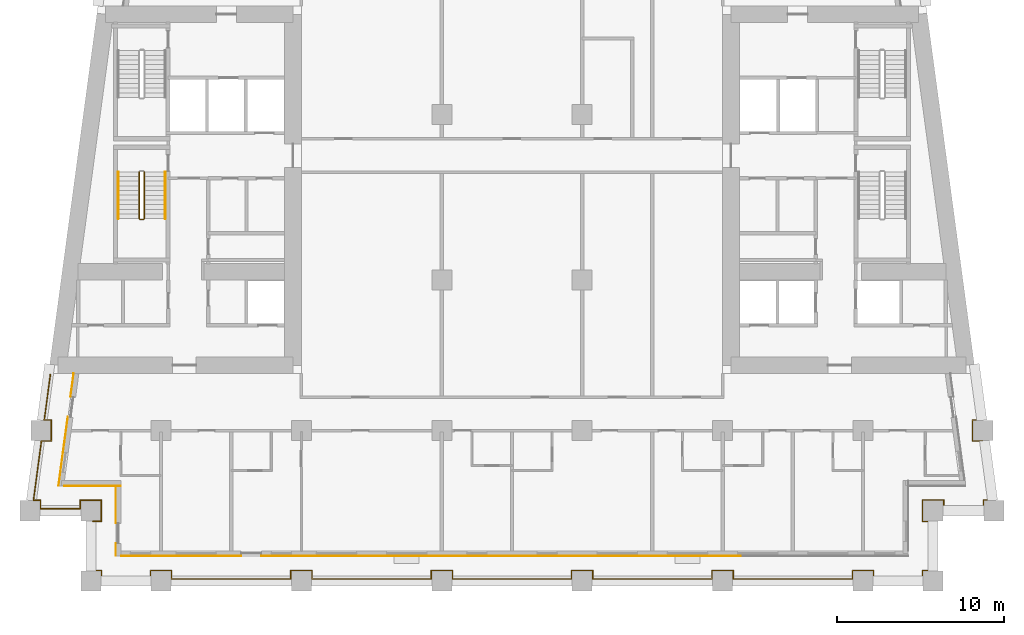
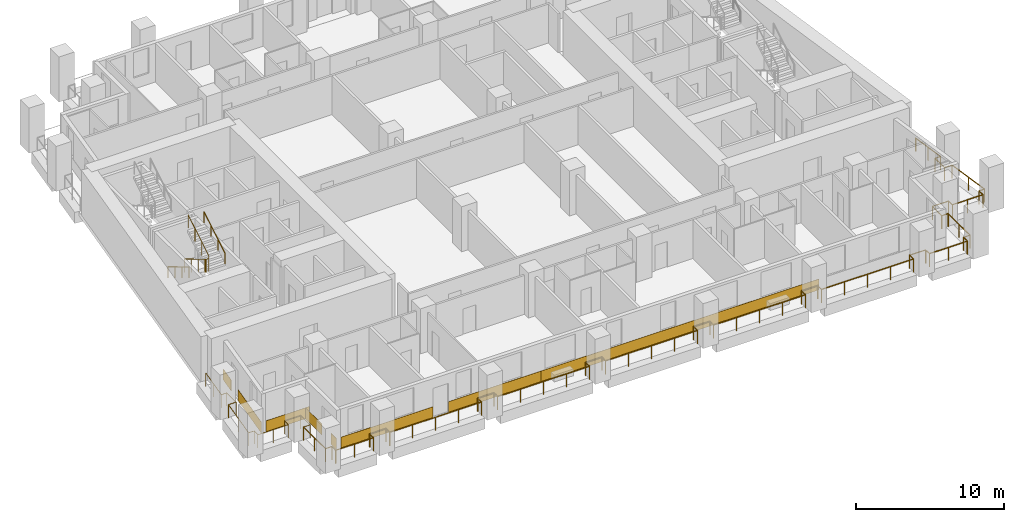
# One storey, part 9 of 13: 8 coverings, 5 railings.
"""IFC4 building model written with IfcOpenShell, lengths in metres."""

from ifc_helpers import new_model, si_unit, direction, frame, origin, origin_2d, place, context, subcontext, project, spatial, rectangle, circle, extrude, material, layer, layer_set, type_object, element, save


model = new_model("IFC4")

# Units and contexts
model_context = context("Model", 3, precision=1e-05, world=origin(), true_north=direction((0.0, 1.0)))
body_context = subcontext(model_context, "Body", "Model", "MODEL_VIEW")
ifc_project = project(units=[si_unit("LENGTHUNIT", "METRE"), si_unit("AREAUNIT", "SQUARE_METRE"), si_unit("VOLUMEUNIT", "CUBIC_METRE"), si_unit("PLANEANGLEUNIT", "RADIAN"), si_unit("MASSUNIT", "GRAM", prefix="KILO")], contexts=[model_context])

# Site, building, storey
site_placement = place(None, origin())
site = spatial("IfcSite", under=ifc_project, at=site_placement, CompositionType="ELEMENT")
building_placement = place(site_placement, origin())
building = spatial("IfcBuilding", under=site, at=building_placement, Name="Candeia Pilgrim Tower and Theatre", CompositionType="ELEMENT")
storey_placement = place(building_placement, frame((0.0, 0.0, 131.699951171875)))
storey = spatial("IfcBuildingStorey", under=building, at=storey_placement, Name="L31", CompositionType="ELEMENT", Elevation=131.699951171875)

# Railings
ifc_material_1 = material(Name="Stainless steel balustrade", Category="steel")
railing_type_1 = type_object("IfcRailingType", Name="G1 loggia guard 1100", PredefinedType="GUARDRAIL", material=ifc_material_1)
railing_1_placement = place(storey_placement, frame((88.320068359375, 101.570068359375, 0.0)))
element("IfcRailing", 1, at=railing_1_placement, inside=storey, type_object=railing_type_1, Name="Guard L31.1", PredefinedType="GUARDRAIL", context=body_context, shape_type="SweptSolid", body=[
    extrude(circle(Radius=0.02392578125, at=origin_2d()), frame((0.0, 0.0, 1.076171875), z_axis=(1.0, 0.0, 0.0), x_axis=(0.0, 1.0, 0.0)), (0.0, 0.0, 1.0), 0.510009765625),
    extrude(circle(Radius=0.02392578125, at=origin_2d()), frame((0.510009765625, 0.0, 1.076171875), z_axis=(0.0, 1.0, 0.0), x_axis=(-1.0, 0.0, 0.0)), (0.0, 0.0, 1.0), 1.260009765625),
    extrude(circle(Radius=0.02392578125, at=origin_2d()), frame((0.510009765625, 1.260009765625, 1.076171875), z_axis=(-1.0, 0.0, 0.0), x_axis=(0.0, -1.0, 0.0)), (0.0, 0.0, 1.0), 1.260009765625),
    extrude(circle(Radius=0.02392578125, at=origin_2d()), frame((-0.75, 1.260009765625, 1.076171875), z_axis=(0.0, -1.0, 0.0), x_axis=(1.0, 0.0, 0.0)), (0.0, 0.0, 1.0), 0.510009765625),
    extrude(circle(Radius=0.02392578125, at=origin_2d()), frame((-0.75, 0.75, 1.076171875), z_axis=(-1.0, 0.0, 0.0), x_axis=(0.0, -1.0, 0.0)), (0.0, 0.0, 1.0), 2.374755859375),
    extrude(circle(Radius=0.02392578125, at=origin_2d()), frame((-3.124755859375, 0.75, 1.076171875), z_axis=(0.0, 1.0, 0.0), x_axis=(-1.0, 0.0, 0.0)), (0.0, 0.0, 1.0), 0.510009765625),
    extrude(circle(Radius=0.02392578125, at=origin_2d()), frame((-3.124755859375, 1.260009765625, 1.076171875), z_axis=(-1.0, 0.0, 0.0), x_axis=(0.0, -1.0, 0.0)), (0.0, 0.0, 1.0), 0.424072265625),
    extrude(circle(Radius=0.02392578125, at=origin_2d()), frame((-3.548828125, 1.260009765625, 1.076171875), z_axis=(0.133417176173, 0.991059966451, 0.0), x_axis=(-0.991059966451, 0.133417176173, 0.0)), (0.0, 0.0, 1.0), 3.572021484375),
    extrude(circle(Radius=0.02392578125, at=origin_2d()), frame((-3.072265625, 4.800048828125, 1.076171875), z_axis=(1.0, 0.0, 0.0), x_axis=(0.0, 1.0, 0.0)), (0.0, 0.0, 1.0), 0.59375),
    extrude(circle(Radius=0.02392578125, at=origin_2d()), frame((-2.478515625, 4.800048828125, 1.076171875), z_axis=(0.0, 1.0, 0.0), x_axis=(-1.0, 0.0, 0.0)), (0.0, 0.0, 1.0), 1.259765625),
    extrude(circle(Radius=0.02392578125, at=origin_2d()), frame((-2.478515625, 6.059814453125, 1.076171875), z_axis=(-1.0, 0.0, 0.0), x_axis=(0.0, -1.0, 0.0)), (0.0, 0.0, 1.0), 0.424072265625),
    extrude(circle(Radius=0.02392578125, at=origin_2d()), frame((-2.902587890625, 6.059814453125, 1.076171875), z_axis=(0.1334220927, 0.991059304572, 0.0), x_axis=(-0.991059304572, 0.1334220927, 0.0)), (0.0, 0.0, 1.0), 2.744873046875),
    extrude(circle(Radius=0.02099609375, at=origin_2d()), origin(), (0.0, 0.0, 1.0), 1.052001953125),
    extrude(circle(Radius=0.02099609375, at=origin_2d()), frame((0.510009765625, 0.0, 0.0)), (0.0, 0.0, 1.0), 1.052001953125),
    extrude(circle(Radius=0.02099609375, at=origin_2d()), frame((0.510009765625, 1.260009765625, 0.0)), (0.0, 0.0, 1.0), 1.052001953125),
    extrude(circle(Radius=0.02099609375, at=origin_2d()), frame((-0.75, 1.260009765625, 0.0)), (0.0, 0.0, 1.0), 1.052001953125),
    extrude(circle(Radius=0.02099609375, at=origin_2d()), frame((-0.75, 0.75, 0.0)), (0.0, 0.0, 1.0), 1.052001953125),
    extrude(circle(Radius=0.02099609375, at=origin_2d()), frame((-1.9375, 0.75, 0.0)), (0.0, 0.0, 1.0), 1.052001953125),
    extrude(circle(Radius=0.02099609375, at=origin_2d()), frame((-3.124755859375, 0.75, 0.0)), (0.0, 0.0, 1.0), 1.052001953125),
    extrude(circle(Radius=0.02099609375, at=origin_2d()), frame((-3.124755859375, 1.260009765625, 0.0)), (0.0, 0.0, 1.0), 1.052001953125),
    extrude(circle(Radius=0.02099609375, at=origin_2d()), frame((-3.548828125, 1.260009765625, 0.0)), (0.0, 0.0, 1.0), 1.052001953125),
    extrude(circle(Radius=0.02099609375, at=origin_2d()), frame((-3.310546875, 3.030029296875, 0.0)), (0.0, 0.0, 1.0), 1.052001953125),
    extrude(circle(Radius=0.02099609375, at=origin_2d()), frame((-3.072265625, 4.800048828125, 0.0)), (0.0, 0.0, 1.0), 1.052001953125),
    extrude(circle(Radius=0.02099609375, at=origin_2d()), frame((-2.478515625, 4.800048828125, 0.0)), (0.0, 0.0, 1.0), 1.052001953125),
    extrude(circle(Radius=0.02099609375, at=origin_2d()), frame((-2.478515625, 6.059814453125, 0.0)), (0.0, 0.0, 1.0), 1.052001953125),
    extrude(circle(Radius=0.02099609375, at=origin_2d()), frame((-2.902587890625, 6.059814453125, 0.0)), (0.0, 0.0, 1.0), 1.052001953125),
    extrude(circle(Radius=0.02099609375, at=origin_2d()), frame((-2.719482421875, 7.419921875, 0.0)), (0.0, 0.0, 1.0), 1.052001953125),
    extrude(circle(Radius=0.02099609375, at=origin_2d()), frame((-2.536376953125, 8.780029296875, 0.0)), (0.0, 0.0, 1.0), 1.052001953125),
])
railing_2_placement = place(storey_placement, frame((141.016357421875, 110.35009765625, 0.0)))
element("IfcRailing", 2, at=railing_2_placement, inside=storey, type_object=railing_type_1, Name="Guard L31.4", PredefinedType="GUARDRAIL", context=body_context, shape_type="SweptSolid", body=[
    extrude(circle(Radius=0.02392578125, at=origin_2d()), frame((0.0, 0.0, 1.076171875), z_axis=(0.1334220927, -0.991059304572, 0.0), x_axis=(0.991059304572, 0.1334220927, 0.0)), (0.0, 0.0, 1.0), 2.744873046875),
    extrude(circle(Radius=0.02392578125, at=origin_2d()), frame((0.3662109375, -2.72021484375, 1.076171875), z_axis=(-1.0, 0.0, 0.0), x_axis=(0.0, -1.0, 0.0)), (0.0, 0.0, 1.0), 0.424072265625),
    extrude(circle(Radius=0.02392578125, at=origin_2d()), frame((-0.057861328125, -2.72021484375, 1.076171875), z_axis=(0.0, -1.0, 0.0), x_axis=(1.0, 0.0, 0.0)), (0.0, 0.0, 1.0), 1.259765625),
    extrude(circle(Radius=0.02392578125, at=origin_2d()), frame((-0.057861328125, -3.97998046875, 1.076171875), z_axis=(1.0, 0.0, 0.0), x_axis=(0.0, 1.0, 0.0)), (0.0, 0.0, 1.0), 0.59375),
    extrude(circle(Radius=0.02392578125, at=origin_2d()), frame((0.535888671875, -3.97998046875, 1.076171875), z_axis=(0.133417176173, -0.991059966451, 0.0), x_axis=(0.991059966451, 0.133417176173, 0.0)), (0.0, 0.0, 1.0), 3.572021484375),
    extrude(circle(Radius=0.02392578125, at=origin_2d()), frame((1.012451171875, -7.52001953125, 1.076171875), z_axis=(-1.0, 0.0, 0.0), x_axis=(0.0, -1.0, 0.0)), (0.0, 0.0, 1.0), 0.424072265625),
    extrude(circle(Radius=0.02392578125, at=origin_2d()), frame((0.58837890625, -7.52001953125, 1.076171875), z_axis=(0.0, -1.0, 0.0), x_axis=(1.0, 0.0, 0.0)), (0.0, 0.0, 1.0), 0.510009765625),
    extrude(circle(Radius=0.02392578125, at=origin_2d()), frame((0.58837890625, -8.030029296875, 1.076171875), z_axis=(-1.0, 0.0, 0.0), x_axis=(0.0, -1.0, 0.0)), (0.0, 0.0, 1.0), 2.374755859375),
    extrude(circle(Radius=0.02392578125, at=origin_2d()), frame((-1.786376953125, -8.030029296875, 1.076171875), z_axis=(0.0, 1.0, 0.0), x_axis=(-1.0, 0.0, 0.0)), (0.0, 0.0, 1.0), 0.510009765625),
    extrude(circle(Radius=0.02392578125, at=origin_2d()), frame((-1.786376953125, -7.52001953125, 1.076171875), z_axis=(-1.0, 0.0, 0.0), x_axis=(0.0, -1.0, 0.0)), (0.0, 0.0, 1.0), 1.260009765625),
    extrude(circle(Radius=0.02392578125, at=origin_2d()), frame((-3.04638671875, -7.52001953125, 1.076171875), z_axis=(0.0, -1.0, 0.0), x_axis=(1.0, 0.0, 0.0)), (0.0, 0.0, 1.0), 1.260009765625),
    extrude(circle(Radius=0.02392578125, at=origin_2d()), frame((-3.04638671875, -8.780029296875, 1.076171875), z_axis=(1.0, 0.0, 0.0), x_axis=(0.0, 1.0, 0.0)), (0.0, 0.0, 1.0), 0.510009765625),
    extrude(circle(Radius=0.02392578125, at=origin_2d()), frame((-2.536376953125, -8.780029296875, 1.076171875), z_axis=(0.0, -1.0, 0.0), x_axis=(1.0, 0.0, 0.0)), (0.0, 0.0, 1.0), 2.940185546875),
    extrude(circle(Radius=0.02392578125, at=origin_2d()), frame((-2.536376953125, -11.72021484375, 1.076171875), z_axis=(-1.0, 0.0, 0.0), x_axis=(0.0, -1.0, 0.0)), (0.0, 0.0, 1.0), 0.510009765625),
    extrude(circle(Radius=0.02392578125, at=origin_2d()), frame((-3.04638671875, -11.72021484375, 1.076171875), z_axis=(0.0, -1.0, 0.0), x_axis=(1.0, 0.0, 0.0)), (0.0, 0.0, 1.0), 0.509765625),
    extrude(circle(Radius=0.02392578125, at=origin_2d()), frame((-3.04638671875, -12.22998046875, 1.076171875), z_axis=(-1.0, 0.0, 0.0), x_axis=(0.0, -1.0, 0.0)), (0.0, 0.0, 1.0), 2.93994140625),
    extrude(circle(Radius=0.02392578125, at=origin_2d()), frame((-5.986328125, -12.22998046875, 1.076171875), z_axis=(0.0, 1.0, 0.0), x_axis=(-1.0, 0.0, 0.0)), (0.0, 0.0, 1.0), 0.509765625),
    extrude(circle(Radius=0.02392578125, at=origin_2d()), frame((-5.986328125, -11.72021484375, 1.076171875), z_axis=(-1.0, 0.0, 0.0), x_axis=(0.0, -1.0, 0.0)), (0.0, 0.0, 1.0), 1.260009765625),
    extrude(circle(Radius=0.02392578125, at=origin_2d()), frame((-7.246337890625, -11.72021484375, 1.076171875), z_axis=(0.0, -1.0, 0.0), x_axis=(1.0, 0.0, 0.0)), (0.0, 0.0, 1.0), 0.509765625),
    extrude(circle(Radius=0.02392578125, at=origin_2d()), frame((-7.246337890625, -12.22998046875, 1.076171875), z_axis=(-1.0, 0.0, 0.0), x_axis=(0.0, -1.0, 0.0)), (0.0, 0.0, 1.0), 7.14013671875),
    extrude(circle(Radius=0.02392578125, at=origin_2d()), frame((-14.386474609375, -12.22998046875, 1.076171875), z_axis=(0.0, 1.0, 0.0), x_axis=(-1.0, 0.0, 0.0)), (0.0, 0.0, 1.0), 0.509765625),
    extrude(circle(Radius=0.02392578125, at=origin_2d()), frame((-14.386474609375, -11.72021484375, 1.076171875), z_axis=(-1.0, 0.0, 0.0), x_axis=(0.0, -1.0, 0.0)), (0.0, 0.0, 1.0), 1.259765625),
    extrude(circle(Radius=0.02392578125, at=origin_2d()), frame((-15.646240234375, -11.72021484375, 1.076171875), z_axis=(0.0, -1.0, 0.0), x_axis=(1.0, 0.0, 0.0)), (0.0, 0.0, 1.0), 0.509765625),
    extrude(circle(Radius=0.02392578125, at=origin_2d()), frame((-15.646240234375, -12.22998046875, 1.076171875), z_axis=(-1.0, 0.0, 0.0), x_axis=(0.0, -1.0, 0.0)), (0.0, 0.0, 1.0), 7.14013671875),
    extrude(circle(Radius=0.02392578125, at=origin_2d()), frame((-22.786376953125, -12.22998046875, 1.076171875), z_axis=(0.0, 1.0, 0.0), x_axis=(-1.0, 0.0, 0.0)), (0.0, 0.0, 1.0), 0.509765625),
    extrude(circle(Radius=0.02392578125, at=origin_2d()), frame((-22.786376953125, -11.72021484375, 1.076171875), z_axis=(-1.0, 0.0, 0.0), x_axis=(0.0, -1.0, 0.0)), (0.0, 0.0, 1.0), 1.260009765625),
    extrude(circle(Radius=0.02392578125, at=origin_2d()), frame((-24.04638671875, -11.72021484375, 1.076171875), z_axis=(0.0, -1.0, 0.0), x_axis=(1.0, 0.0, 0.0)), (0.0, 0.0, 1.0), 0.509765625),
    extrude(circle(Radius=0.02392578125, at=origin_2d()), frame((-24.04638671875, -12.22998046875, 1.076171875), z_axis=(-1.0, 0.0, 0.0), x_axis=(0.0, -1.0, 0.0)), (0.0, 0.0, 1.0), 7.139892578125),
    extrude(circle(Radius=0.02392578125, at=origin_2d()), frame((-31.186279296875, -12.22998046875, 1.076171875), z_axis=(0.0, 1.0, 0.0), x_axis=(-1.0, 0.0, 0.0)), (0.0, 0.0, 1.0), 0.509765625),
    extrude(circle(Radius=0.02392578125, at=origin_2d()), frame((-31.186279296875, -11.72021484375, 1.076171875), z_axis=(-1.0, 0.0, 0.0), x_axis=(0.0, -1.0, 0.0)), (0.0, 0.0, 1.0), 1.260009765625),
    extrude(circle(Radius=0.02392578125, at=origin_2d()), frame((-32.4462890625, -11.72021484375, 1.076171875), z_axis=(0.0, -1.0, 0.0), x_axis=(1.0, 0.0, 0.0)), (0.0, 0.0, 1.0), 0.509765625),
    extrude(circle(Radius=0.02392578125, at=origin_2d()), frame((-32.4462890625, -12.22998046875, 1.076171875), z_axis=(-1.0, 0.0, 0.0), x_axis=(0.0, -1.0, 0.0)), (0.0, 0.0, 1.0), 7.14013671875),
    extrude(circle(Radius=0.02392578125, at=origin_2d()), frame((-39.58642578125, -12.22998046875, 1.076171875), z_axis=(0.0, 1.0, 0.0), x_axis=(-1.0, 0.0, 0.0)), (0.0, 0.0, 1.0), 0.509765625),
    extrude(circle(Radius=0.02392578125, at=origin_2d()), frame((-39.58642578125, -11.72021484375, 1.076171875), z_axis=(-1.0, 0.0, 0.0), x_axis=(0.0, -1.0, 0.0)), (0.0, 0.0, 1.0), 1.260009765625),
    extrude(circle(Radius=0.02392578125, at=origin_2d()), frame((-40.846435546875, -11.72021484375, 1.076171875), z_axis=(0.0, -1.0, 0.0), x_axis=(1.0, 0.0, 0.0)), (0.0, 0.0, 1.0), 0.509765625),
    extrude(circle(Radius=0.02392578125, at=origin_2d()), frame((-40.846435546875, -12.22998046875, 1.076171875), z_axis=(-1.0, 0.0, 0.0), x_axis=(0.0, -1.0, 0.0)), (0.0, 0.0, 1.0), 7.139892578125),
    extrude(circle(Radius=0.02392578125, at=origin_2d()), frame((-47.986328125, -12.22998046875, 1.076171875), z_axis=(0.0, 1.0, 0.0), x_axis=(-1.0, 0.0, 0.0)), (0.0, 0.0, 1.0), 0.509765625),
    extrude(circle(Radius=0.02392578125, at=origin_2d()), frame((-47.986328125, -11.72021484375, 1.076171875), z_axis=(-1.0, 0.0, 0.0), x_axis=(0.0, -1.0, 0.0)), (0.0, 0.0, 1.0), 1.260009765625),
    extrude(circle(Radius=0.02392578125, at=origin_2d()), frame((-49.246337890625, -11.72021484375, 1.076171875), z_axis=(0.0, -1.0, 0.0), x_axis=(1.0, 0.0, 0.0)), (0.0, 0.0, 1.0), 0.509765625),
    extrude(circle(Radius=0.02392578125, at=origin_2d()), frame((-49.246337890625, -12.22998046875, 1.076171875), z_axis=(-1.0, 0.0, 0.0), x_axis=(0.0, -1.0, 0.0)), (0.0, 0.0, 1.0), 2.93994140625),
    extrude(circle(Radius=0.02392578125, at=origin_2d()), frame((-52.186279296875, -12.22998046875, 1.076171875), z_axis=(0.0, 1.0, 0.0), x_axis=(-1.0, 0.0, 0.0)), (0.0, 0.0, 1.0), 0.509765625),
    extrude(circle(Radius=0.02392578125, at=origin_2d()), frame((-52.186279296875, -11.72021484375, 1.076171875), z_axis=(-1.0, 0.0, 0.0), x_axis=(0.0, -1.0, 0.0)), (0.0, 0.0, 1.0), 0.510009765625),
    extrude(circle(Radius=0.02392578125, at=origin_2d()), frame((-52.6962890625, -11.72021484375, 1.076171875), z_axis=(0.0, 1.0, 0.0), x_axis=(-1.0, 0.0, 0.0)), (0.0, 0.0, 1.0), 2.940185546875),
    extrude(circle(Radius=0.02099609375, at=origin_2d()), origin(), (0.0, 0.0, 1.0), 1.052001953125),
    extrude(circle(Radius=0.02099609375, at=origin_2d()), frame((0.18310546875, -1.360107421875, 0.0)), (0.0, 0.0, 1.0), 1.052001953125),
    extrude(circle(Radius=0.02099609375, at=origin_2d()), frame((0.3662109375, -2.72021484375, 0.0)), (0.0, 0.0, 1.0), 1.052001953125),
    extrude(circle(Radius=0.02099609375, at=origin_2d()), frame((-0.057861328125, -2.72021484375, 0.0)), (0.0, 0.0, 1.0), 1.052001953125),
    extrude(circle(Radius=0.02099609375, at=origin_2d()), frame((-0.057861328125, -3.97998046875, 0.0)), (0.0, 0.0, 1.0), 1.052001953125),
    extrude(circle(Radius=0.02099609375, at=origin_2d()), frame((0.535888671875, -3.97998046875, 0.0)), (0.0, 0.0, 1.0), 1.052001953125),
    extrude(circle(Radius=0.02099609375, at=origin_2d()), frame((0.774169921875, -5.75, 0.0)), (0.0, 0.0, 1.0), 1.052001953125),
    extrude(circle(Radius=0.02099609375, at=origin_2d()), frame((1.012451171875, -7.52001953125, 0.0)), (0.0, 0.0, 1.0), 1.052001953125),
    extrude(circle(Radius=0.02099609375, at=origin_2d()), frame((0.58837890625, -7.52001953125, 0.0)), (0.0, 0.0, 1.0), 1.052001953125),
    extrude(circle(Radius=0.02099609375, at=origin_2d()), frame((0.58837890625, -8.030029296875, 0.0)), (0.0, 0.0, 1.0), 1.052001953125),
    extrude(circle(Radius=0.02099609375, at=origin_2d()), frame((-0.59912109375, -8.030029296875, 0.0)), (0.0, 0.0, 1.0), 1.052001953125),
    extrude(circle(Radius=0.02099609375, at=origin_2d()), frame((-1.786376953125, -8.030029296875, 0.0)), (0.0, 0.0, 1.0), 1.052001953125),
    extrude(circle(Radius=0.02099609375, at=origin_2d()), frame((-1.786376953125, -7.52001953125, 0.0)), (0.0, 0.0, 1.0), 1.052001953125),
    extrude(circle(Radius=0.02099609375, at=origin_2d()), frame((-3.04638671875, -7.52001953125, 0.0)), (0.0, 0.0, 1.0), 1.052001953125),
    extrude(circle(Radius=0.02099609375, at=origin_2d()), frame((-3.04638671875, -8.780029296875, 0.0)), (0.0, 0.0, 1.0), 1.052001953125),
    extrude(circle(Radius=0.02099609375, at=origin_2d()), frame((-2.536376953125, -8.780029296875, 0.0)), (0.0, 0.0, 1.0), 1.052001953125),
    extrude(circle(Radius=0.02099609375, at=origin_2d()), frame((-2.536376953125, -10.25, 0.0)), (0.0, 0.0, 1.0), 1.052001953125),
    extrude(circle(Radius=0.02099609375, at=origin_2d()), frame((-2.536376953125, -11.72021484375, 0.0)), (0.0, 0.0, 1.0), 1.052001953125),
    extrude(circle(Radius=0.02099609375, at=origin_2d()), frame((-3.04638671875, -11.72021484375, 0.0)), (0.0, 0.0, 1.0), 1.052001953125),
    extrude(circle(Radius=0.02099609375, at=origin_2d()), frame((-3.04638671875, -12.22998046875, 0.0)), (0.0, 0.0, 1.0), 1.052001953125),
    extrude(circle(Radius=0.02099609375, at=origin_2d()), frame((-4.516357421875, -12.22998046875, 0.0)), (0.0, 0.0, 1.0), 1.052001953125),
    extrude(circle(Radius=0.02099609375, at=origin_2d()), frame((-5.986328125, -12.22998046875, 0.0)), (0.0, 0.0, 1.0), 1.052001953125),
    extrude(circle(Radius=0.02099609375, at=origin_2d()), frame((-5.986328125, -11.72021484375, 0.0)), (0.0, 0.0, 1.0), 1.052001953125),
    extrude(circle(Radius=0.02099609375, at=origin_2d()), frame((-7.246337890625, -11.72021484375, 0.0)), (0.0, 0.0, 1.0), 1.052001953125),
    extrude(circle(Radius=0.02099609375, at=origin_2d()), frame((-7.246337890625, -12.22998046875, 0.0)), (0.0, 0.0, 1.0), 1.052001953125),
    extrude(circle(Radius=0.02099609375, at=origin_2d()), frame((-9.03125, -12.22998046875, 0.0)), (0.0, 0.0, 1.0), 1.052001953125),
    extrude(circle(Radius=0.02099609375, at=origin_2d()), frame((-10.81640625, -12.22998046875, 0.0)), (0.0, 0.0, 1.0), 1.052001953125),
    extrude(circle(Radius=0.02099609375, at=origin_2d()), frame((-12.6015625, -12.22998046875, 0.0)), (0.0, 0.0, 1.0), 1.052001953125),
    extrude(circle(Radius=0.02099609375, at=origin_2d()), frame((-14.386474609375, -12.22998046875, 0.0)), (0.0, 0.0, 1.0), 1.052001953125),
    extrude(circle(Radius=0.02099609375, at=origin_2d()), frame((-14.386474609375, -11.72021484375, 0.0)), (0.0, 0.0, 1.0), 1.052001953125),
    extrude(circle(Radius=0.02099609375, at=origin_2d()), frame((-15.646240234375, -11.72021484375, 0.0)), (0.0, 0.0, 1.0), 1.052001953125),
    extrude(circle(Radius=0.02099609375, at=origin_2d()), frame((-15.646240234375, -12.22998046875, 0.0)), (0.0, 0.0, 1.0), 1.052001953125),
    extrude(circle(Radius=0.02099609375, at=origin_2d()), frame((-17.43115234375, -12.22998046875, 0.0)), (0.0, 0.0, 1.0), 1.052001953125),
    extrude(circle(Radius=0.02099609375, at=origin_2d()), frame((-19.21630859375, -12.22998046875, 0.0)), (0.0, 0.0, 1.0), 1.052001953125),
    extrude(circle(Radius=0.02099609375, at=origin_2d()), frame((-21.00146484375, -12.22998046875, 0.0)), (0.0, 0.0, 1.0), 1.052001953125),
    extrude(circle(Radius=0.02099609375, at=origin_2d()), frame((-22.786376953125, -12.22998046875, 0.0)), (0.0, 0.0, 1.0), 1.052001953125),
    extrude(circle(Radius=0.02099609375, at=origin_2d()), frame((-22.786376953125, -11.72021484375, 0.0)), (0.0, 0.0, 1.0), 1.052001953125),
    extrude(circle(Radius=0.02099609375, at=origin_2d()), frame((-24.04638671875, -11.72021484375, 0.0)), (0.0, 0.0, 1.0), 1.052001953125),
    extrude(circle(Radius=0.02099609375, at=origin_2d()), frame((-24.04638671875, -12.22998046875, 0.0)), (0.0, 0.0, 1.0), 1.052001953125),
    extrude(circle(Radius=0.02099609375, at=origin_2d()), frame((-25.831298828125, -12.22998046875, 0.0)), (0.0, 0.0, 1.0), 1.052001953125),
    extrude(circle(Radius=0.02099609375, at=origin_2d()), frame((-27.6162109375, -12.22998046875, 0.0)), (0.0, 0.0, 1.0), 1.052001953125),
    extrude(circle(Radius=0.02099609375, at=origin_2d()), frame((-29.4013671875, -12.22998046875, 0.0)), (0.0, 0.0, 1.0), 1.052001953125),
    extrude(circle(Radius=0.02099609375, at=origin_2d()), frame((-31.186279296875, -12.22998046875, 0.0)), (0.0, 0.0, 1.0), 1.052001953125),
    extrude(circle(Radius=0.02099609375, at=origin_2d()), frame((-31.186279296875, -11.72021484375, 0.0)), (0.0, 0.0, 1.0), 1.052001953125),
    extrude(circle(Radius=0.02099609375, at=origin_2d()), frame((-32.4462890625, -11.72021484375, 0.0)), (0.0, 0.0, 1.0), 1.052001953125),
    extrude(circle(Radius=0.02099609375, at=origin_2d()), frame((-32.4462890625, -12.22998046875, 0.0)), (0.0, 0.0, 1.0), 1.052001953125),
    extrude(circle(Radius=0.02099609375, at=origin_2d()), frame((-34.2314453125, -12.22998046875, 0.0)), (0.0, 0.0, 1.0), 1.052001953125),
    extrude(circle(Radius=0.02099609375, at=origin_2d()), frame((-36.016357421875, -12.22998046875, 0.0)), (0.0, 0.0, 1.0), 1.052001953125),
    extrude(circle(Radius=0.02099609375, at=origin_2d()), frame((-37.80126953125, -12.22998046875, 0.0)), (0.0, 0.0, 1.0), 1.052001953125),
    extrude(circle(Radius=0.02099609375, at=origin_2d()), frame((-39.58642578125, -12.22998046875, 0.0)), (0.0, 0.0, 1.0), 1.052001953125),
    extrude(circle(Radius=0.02099609375, at=origin_2d()), frame((-39.58642578125, -11.72021484375, 0.0)), (0.0, 0.0, 1.0), 1.052001953125),
    extrude(circle(Radius=0.02099609375, at=origin_2d()), frame((-40.846435546875, -11.72021484375, 0.0)), (0.0, 0.0, 1.0), 1.052001953125),
    extrude(circle(Radius=0.02099609375, at=origin_2d()), frame((-40.846435546875, -12.22998046875, 0.0)), (0.0, 0.0, 1.0), 1.052001953125),
    extrude(circle(Radius=0.02099609375, at=origin_2d()), frame((-42.63134765625, -12.22998046875, 0.0)), (0.0, 0.0, 1.0), 1.052001953125),
    extrude(circle(Radius=0.02099609375, at=origin_2d()), frame((-44.41650390625, -12.22998046875, 0.0)), (0.0, 0.0, 1.0), 1.052001953125),
    extrude(circle(Radius=0.02099609375, at=origin_2d()), frame((-46.201416015625, -12.22998046875, 0.0)), (0.0, 0.0, 1.0), 1.052001953125),
    extrude(circle(Radius=0.02099609375, at=origin_2d()), frame((-47.986328125, -12.22998046875, 0.0)), (0.0, 0.0, 1.0), 1.052001953125),
    extrude(circle(Radius=0.02099609375, at=origin_2d()), frame((-47.986328125, -11.72021484375, 0.0)), (0.0, 0.0, 1.0), 1.052001953125),
    extrude(circle(Radius=0.02099609375, at=origin_2d()), frame((-49.246337890625, -11.72021484375, 0.0)), (0.0, 0.0, 1.0), 1.052001953125),
    extrude(circle(Radius=0.02099609375, at=origin_2d()), frame((-49.246337890625, -12.22998046875, 0.0)), (0.0, 0.0, 1.0), 1.052001953125),
    extrude(circle(Radius=0.02099609375, at=origin_2d()), frame((-50.71630859375, -12.22998046875, 0.0)), (0.0, 0.0, 1.0), 1.052001953125),
    extrude(circle(Radius=0.02099609375, at=origin_2d()), frame((-52.186279296875, -12.22998046875, 0.0)), (0.0, 0.0, 1.0), 1.052001953125),
    extrude(circle(Radius=0.02099609375, at=origin_2d()), frame((-52.186279296875, -11.72021484375, 0.0)), (0.0, 0.0, 1.0), 1.052001953125),
    extrude(circle(Radius=0.02099609375, at=origin_2d()), frame((-52.6962890625, -11.72021484375, 0.0)), (0.0, 0.0, 1.0), 1.052001953125),
    extrude(circle(Radius=0.02099609375, at=origin_2d()), frame((-52.6962890625, -10.25, 0.0)), (0.0, 0.0, 1.0), 1.052001953125),
    extrude(circle(Radius=0.02099609375, at=origin_2d()), frame((-52.6962890625, -8.780029296875, 0.0)), (0.0, 0.0, 1.0), 1.052001953125),
])

# Coverings
ifc_material_2 = material(Name="Glazed ceramic tile red")
ifc_layer_1 = layer(ifc_material_2, 0.02001953125)
ifc_layer_set_1 = layer_set([ifc_layer_1], Name="Glazed ceramic tile red")
covering_type_1 = type_object("IfcCoveringType", Name="Glazed ceramic tile red", PredefinedType="CLADDING", material=ifc_layer_set_1)
covering_1_placement = place(storey_placement, frame((93.610107421875, 99.489990234375, 0.0), z_axis=(0.0, 0.0, 1.0), x_axis=(1.0, 0.0, 0.0)))
element("IfcCovering", 3, at=covering_1_placement, inside=storey, type_object=covering_type_1, Name="Tile cladding red L31", PredefinedType="CLADDING", context=body_context, shape_type="SweptSolid", body=[
    extrude(rectangle(XDim=7.179931640625, YDim=0.02001953125, at=origin_2d()), origin(), (0.0, 0.0, 1.0), 0.89990234375),
])
covering_2_placement = place(storey_placement, frame((102.0, 99.489990234375, 0.0), z_axis=(0.0, 0.0, 1.0), x_axis=(1.0, 0.0, 0.0)))
element("IfcCovering", 4, at=covering_2_placement, inside=storey, type_object=covering_type_1, Name="Tile cladding red L31", PredefinedType="CLADDING", context=body_context, shape_type="SweptSolid", body=[
    extrude(rectangle(XDim=7.199951171875, YDim=0.02001953125, at=origin_2d()), origin(), (0.0, 0.0, 1.0), 0.89990234375),
])
covering_3_placement = place(storey_placement, frame((87.0810546875, 109.71875, 0.0), z_axis=(0.0, 0.0, 1.0), x_axis=(-0.133412012145, -0.991060661622, 0.0)))
element("IfcCovering", 5, at=covering_3_placement, inside=storey, type_object=covering_type_1, Name="Tile cladding red L31", PredefinedType="CLADDING", context=body_context, shape_type="SweptSolid", body=[
    extrude(rectangle(XDim=1.41796875, YDim=0.02001953125, at=origin_2d()), origin(), (0.0, 0.0, 1.0), 0.89990234375),
])
covering_4_placement = place(storey_placement, frame((86.548583984375, 105.763916015625, 0.0), z_axis=(0.0, 0.0, 1.0), x_axis=(-0.133412012145, -0.991060661622, 0.0)))
element("IfcCovering", 6, at=covering_4_placement, inside=storey, type_object=covering_type_1, Name="Tile cladding red L31", PredefinedType="CLADDING", context=body_context, shape_type="SweptSolid", body=[
    extrude(rectangle(XDim=4.16259765625, YDim=0.02001953125, at=origin_2d()), origin(), (0.0, 0.0, 1.0), 0.89990234375),
])
covering_5_placement = place(storey_placement, frame((88.311279296875, 103.68994140625, 0.0), z_axis=(0.0, 0.0, 1.0), x_axis=(1.0, 0.0, 0.0)))
element("IfcCovering", 7, at=covering_5_placement, inside=storey, type_object=covering_type_1, Name="Tile cladding red L31", PredefinedType="CLADDING", context=body_context, shape_type="SweptSolid", body=[
    extrude(rectangle(XDim=3.377685546875, YDim=0.02001953125, at=origin_2d()), origin(), (0.0, 0.0, 1.0), 0.89990234375),
])
covering_6_placement = place(storey_placement, frame((89.68994140625, 102.56494140625, 0.0), z_axis=(0.0, 0.0, 1.0), x_axis=(0.0, -1.0, 0.0)))
element("IfcCovering", 8, at=covering_6_placement, inside=storey, type_object=covering_type_1, Name="Tile cladding red L31", PredefinedType="CLADDING", context=body_context, shape_type="SweptSolid", body=[
    extrude(rectangle(XDim=2.22998046875, YDim=0.02001953125, at=origin_2d()), origin(), (0.0, 0.0, 1.0), 0.89990234375),
])
covering_7_placement = place(storey_placement, frame((89.68994140625, 99.875, 0.0), z_axis=(0.0, 0.0, 1.0), x_axis=(0.0, -1.0, 0.0)))
element("IfcCovering", 9, at=covering_7_placement, inside=storey, type_object=covering_type_1, Name="Tile cladding red L31", PredefinedType="CLADDING", context=body_context, shape_type="SweptSolid", body=[
    extrude(rectangle(XDim=0.75, YDim=0.02001953125, at=origin_2d()), origin(), (0.0, 0.0, 1.0), 0.89990234375),
])
ifc_material_3 = material(Name="Glazed ceramic tile rust")
ifc_layer_2 = layer(ifc_material_3, 0.02001953125)
ifc_layer_set_2 = layer_set([ifc_layer_2], Name="Glazed ceramic tile rust")
covering_type_2 = type_object("IfcCoveringType", Name="Glazed ceramic tile rust", PredefinedType="CLADDING", material=ifc_layer_set_2)
covering_8_placement = place(storey_placement, frame((116.39990234375, 99.489990234375, 0.0), z_axis=(0.0, 0.0, 1.0), x_axis=(1.0, 0.0, 0.0)))
element("IfcCovering", 10, at=covering_8_placement, inside=storey, type_object=covering_type_2, Name="Tile cladding rust L31", PredefinedType="CLADDING", context=body_context, shape_type="SweptSolid", body=[
    extrude(rectangle(XDim=21.60009765625, YDim=0.02001953125, at=origin_2d()), origin(), (0.0, 0.0, 1.0), 0.89990234375),
])

# Railings
railing_type_2 = type_object("IfcRailingType", Name="RL-GUARD-1100", PredefinedType="GUARDRAIL", material=ifc_material_1)
railing_3_placement = place(storey_placement, frame((91.10205078125, 122.47509765625, 0.168212890625)))
element("IfcRailing", 11, at=railing_3_placement, inside=storey, type_object=railing_type_2, Name="L31 ST1 stair guard 1", PredefinedType="GUARDRAIL", context=body_context, shape_type="SweptSolid", body=[
    extrude(circle(Radius=0.02392578125, at=origin_2d()), frame((0.0, 0.0, 1.076171875), z_axis=(0.0, -0.857242210791, 0.514913383045), x_axis=(1.0, 0.0, 0.0)), (0.0, 0.0, 1.0), 3.266357421875),
    extrude(circle(Radius=0.02392578125, at=origin_2d()), frame((0.0, -2.800048828125, 2.7578125), z_axis=(0.707106781187, -0.707106781187, 0.0), x_axis=(0.707106781187, 0.707106781187, 0.0)), (0.0, 0.0, 1.0), 0.07080078125),
    extrude(circle(Radius=0.02392578125, at=origin_2d()), frame((0.050048828125, -2.85009765625, 2.7578125), z_axis=(1.0, 0.0, 0.0), x_axis=(0.0, 1.0, 0.0)), (0.0, 0.0, 1.0), 0.199951171875),
    extrude(circle(Radius=0.02392578125, at=origin_2d()), frame((0.25, -2.85009765625, 2.7578125), z_axis=(0.274243871929, 0.274243871929, 0.92172696468), x_axis=(-0.707106781187, 0.707106781187, 0.0)), (0.0, 0.0, 1.0), 0.1826171875),
    extrude(circle(Radius=0.02392578125, at=origin_2d()), frame((0.300048828125, -2.800048828125, 2.92626953125), z_axis=(0.0, 0.857275202839, 0.514858452973), x_axis=(-1.0, 0.0, 0.0)), (0.0, 0.0, 1.0), 3.26611328125),
    extrude(circle(Radius=0.02099609375, at=origin_2d()), origin(), (0.0, 0.0, 1.0), 1.052001953125),
    extrude(circle(Radius=0.02099609375, at=origin_2d()), frame((0.0, -0.933349609375, 0.560546875)), (0.0, 0.0, 1.0), 1.052001953125),
    extrude(circle(Radius=0.02099609375, at=origin_2d()), frame((0.0, -1.86669921875, 1.121337890625)), (0.0, 0.0, 1.0), 1.052001953125),
    extrude(circle(Radius=0.02099609375, at=origin_2d()), frame((0.0, -2.800048828125, 1.681884765625)), (0.0, 0.0, 1.0), 1.052001953125),
    extrude(circle(Radius=0.02099609375, at=origin_2d()), frame((0.050048828125, -2.85009765625, 1.681884765625)), (0.0, 0.0, 1.0), 1.052001953125),
    extrude(circle(Radius=0.02099609375, at=origin_2d()), frame((0.25, -2.85009765625, 1.681884765625)), (0.0, 0.0, 1.0), 1.052001953125),
    extrude(circle(Radius=0.02099609375, at=origin_2d()), frame((0.300048828125, -2.800048828125, 1.85009765625)), (0.0, 0.0, 1.0), 1.052001953125),
    extrude(circle(Radius=0.02099609375, at=origin_2d()), frame((0.300048828125, -1.86669921875, 2.41064453125)), (0.0, 0.0, 1.0), 1.052001953125),
    extrude(circle(Radius=0.02099609375, at=origin_2d()), frame((0.300048828125, -0.933349609375, 2.97119140625)), (0.0, 0.0, 1.0), 1.052001953125),
    extrude(circle(Radius=0.02099609375, at=origin_2d()), frame((0.300048828125, 0.0, 3.53173828125)), (0.0, 0.0, 1.0), 1.052001953125),
])
ifc_material_4 = material(Name="Stainless steel handrail", Category="steel")
railing_type_3 = type_object("IfcRailingType", Name="RL-HANDRAIL-900", PredefinedType="HANDRAIL", material=ifc_material_4)
railing_4_placement = place(storey_placement, frame((89.85205078125, 122.47509765625, 0.168212890625)))
element("IfcRailing", 12, at=railing_4_placement, inside=storey, type_object=railing_type_3, Name="L31 ST1 stair handrail 1", PredefinedType="HANDRAIL", context=body_context, shape_type="SweptSolid", body=[
    extrude(circle(Radius=0.02392578125, at=origin_2d()), frame((0.0, 0.0, 0.8759765625), z_axis=(0.0, -0.857242210791, 0.514913383045), x_axis=(1.0, 0.0, 0.0)), (0.0, 0.0, 1.0), 3.266357421875),
    extrude(circle(Radius=0.02099609375, at=origin_2d()), origin(), (0.0, 0.0, 1.0), 0.851806640625),
    extrude(circle(Radius=0.02099609375, at=origin_2d()), frame((0.0, -0.933349609375, 0.560546875)), (0.0, 0.0, 1.0), 0.851806640625),
    extrude(circle(Radius=0.02099609375, at=origin_2d()), frame((0.0, -1.86669921875, 1.121337890625)), (0.0, 0.0, 1.0), 0.851806640625),
    extrude(circle(Radius=0.02099609375, at=origin_2d()), frame((0.0, -2.800048828125, 1.681884765625)), (0.0, 0.0, 1.0), 0.851806640625),
])
railing_5_placement = place(storey_placement, frame((92.652099609375, 119.675048828125, 2.018310546875)))
element("IfcRailing", 13, at=railing_5_placement, inside=storey, type_object=railing_type_3, Name="L31 ST1 stair handrail 2", PredefinedType="HANDRAIL", context=body_context, shape_type="SweptSolid", body=[
    extrude(circle(Radius=0.02392578125, at=origin_2d()), frame((0.0, 0.0, 0.8759765625), z_axis=(0.0, 0.857275202839, 0.514858452973), x_axis=(-1.0, 0.0, 0.0)), (0.0, 0.0, 1.0), 3.26611328125),
    extrude(circle(Radius=0.02099609375, at=origin_2d()), origin(), (0.0, 0.0, 1.0), 0.851806640625),
    extrude(circle(Radius=0.02099609375, at=origin_2d()), frame((0.0, 0.933349609375, 0.560546875)), (0.0, 0.0, 1.0), 0.851806640625),
    extrude(circle(Radius=0.02099609375, at=origin_2d()), frame((0.0, 1.86669921875, 1.12109375)), (0.0, 0.0, 1.0), 0.851806640625),
    extrude(circle(Radius=0.02099609375, at=origin_2d()), frame((0.0, 2.800048828125, 1.681640625)), (0.0, 0.0, 1.0), 0.851806640625),
])

save(model, "model.ifc")
